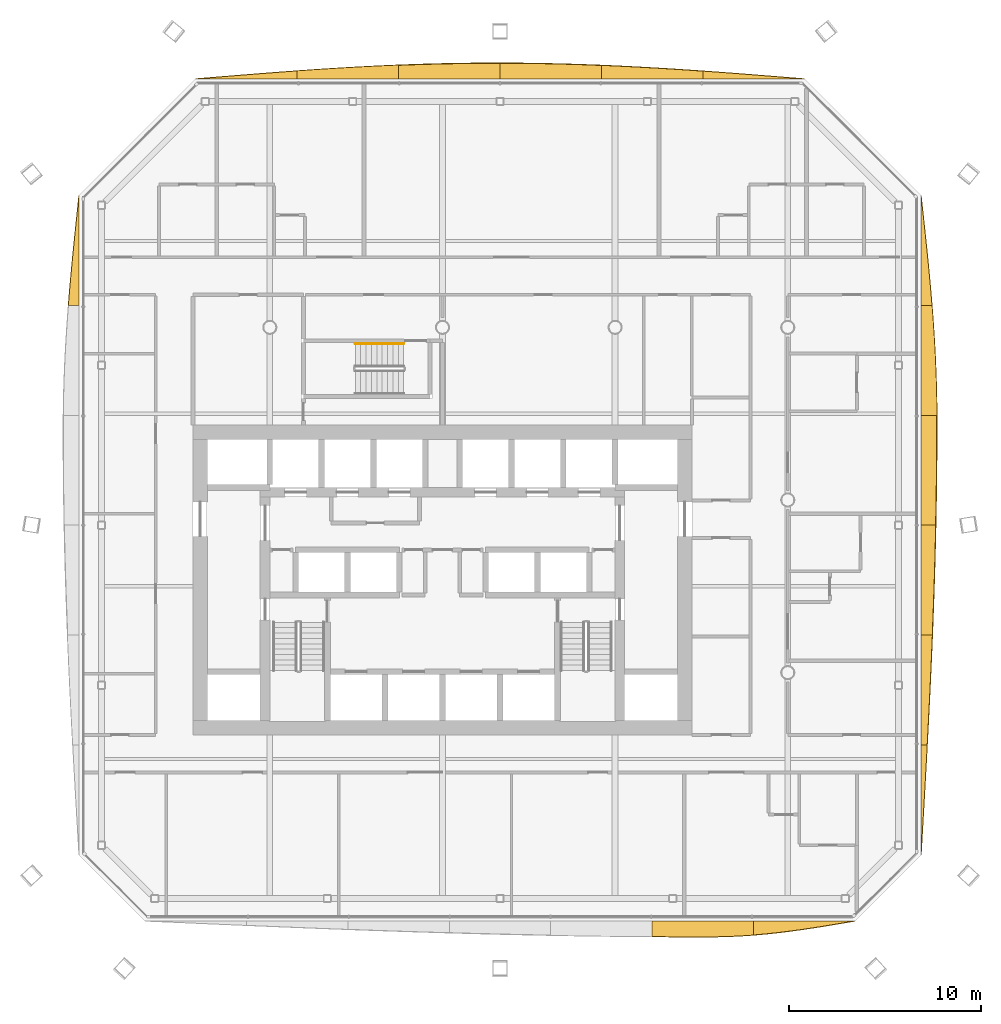
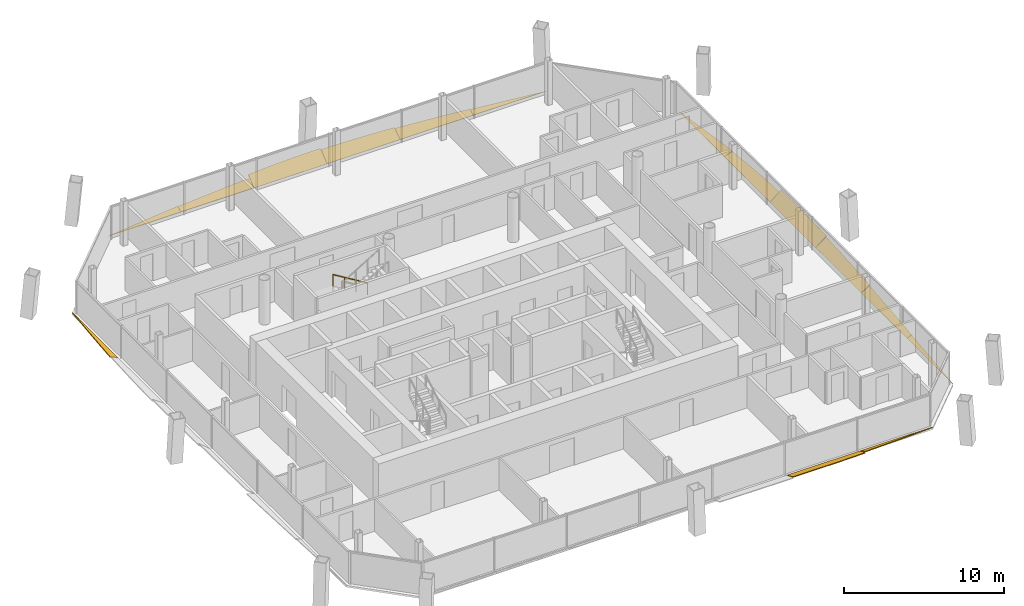
# One storey, part 17 of 17: 15 shading devices, 1 railing.
"""IFC4 building model written with IfcOpenShell, lengths in metres."""

import ifcopenshell
import ifcopenshell.guid

model = None  # the IFC model being written
_history = None  # IfcOwnerHistory: only IFC2X3 demands one
_inside = {}  # id of a spatial element -> (the spatial element, [elements in it])
_under = {}  # id of a project, library or spatial element -> (it, [spatial elements below it])
_declared = {}  # id of a project -> (the project, [libraries it declares])
_typed = {}  # id of a type object -> (the type object, [elements of that type])
_made_of = {}  # id of a material, layer set ... -> (it, [elements and type objects made of it])


def new_model(schema):
    """Start an empty IFC model of exactly this schema.

    Asked for "IFC4X3", IfcOpenShell would pick the latest addendum, in which some entities
    have other attributes; the version numbers below select the first issue.
    IFC2X3 requires an IfcOwnerHistory on every rooted entity: one is made here for all.
    """
    global model, _history
    if schema == "IFC4X3":
        model = ifcopenshell.file(schema_version=(4, 3, 0, 0))
    else:
        model = ifcopenshell.file(schema=schema)
    _inside.clear()
    _under.clear()
    _declared.clear()
    _typed.clear()
    _made_of.clear()
    _history = None
    if model.schema == "IFC2X3":
        org = make("IfcOrganization", Name="unknown")
        user = make(
            "IfcPersonAndOrganization",
            ThePerson=make("IfcPerson", FamilyName="unknown"),
            TheOrganization=org,
        )
        app = make(
            "IfcApplication",
            ApplicationDeveloper=org,
            Version="unknown",
            ApplicationFullName="unknown",
            ApplicationIdentifier="unknown",
        )
        _history = make(
            "IfcOwnerHistory",
            OwningUser=user,
            OwningApplication=app,
            ChangeAction="ADDED",
            CreationDate=0,
        )
    return model


def make(cls, **values):
    """One entity of the class cls with the attributes given. An attribute that is None is left unset."""
    return model.create_entity(
        cls, **{name: value for name, value in values.items() if value is not None}
    )


def rooted(cls, **values):
    """An entity with a GlobalId (a new one), such as an element, a storey or a relation."""
    return make(cls, GlobalId=ifcopenshell.guid.new(), OwnerHistory=_history, **values)


def si_unit(unit_type, name, prefix=None):
    """IfcSIUnit, for example si_unit("LENGTHUNIT", "METRE", prefix="MILLI")."""
    return make("IfcSIUnit", UnitType=unit_type, Prefix=prefix, Name=name)


def assignment(units):
    """IfcUnitAssignment: the units of a project."""
    return None if units is None else make("IfcUnitAssignment", Units=units)


def point(xyz):
    """IfcCartesianPoint."""
    return None if xyz is None else make("IfcCartesianPoint", Coordinates=xyz)


def direction(xyz):
    """IfcDirection."""
    return None if xyz is None else make("IfcDirection", DirectionRatios=xyz)


def frame(location, z_axis=None, x_axis=None):
    """IfcAxis2Placement3D, a coordinate frame: its origin and axes. An axis left out is left unset."""
    return make(
        "IfcAxis2Placement3D",
        Location=point(location),
        Axis=direction(z_axis),
        RefDirection=direction(x_axis),
    )


def frame_2d(location, x_axis=None):
    """IfcAxis2Placement2D, a coordinate frame in the plane: its origin and x axis."""
    return make(
        "IfcAxis2Placement2D", Location=point(location), RefDirection=direction(x_axis)
    )


def origin():
    """The frame at (0, 0, 0) with its axes left unset."""
    return frame((0.0, 0.0, 0.0))


def origin_2d():
    """The frame at (0, 0) in the plane with its x axis left unset."""
    return frame_2d((0.0, 0.0))


def place(relative_to, where):
    """IfcLocalPlacement: puts the frame where relative to a parent placement (None: the world)."""
    return make(
        "IfcLocalPlacement", PlacementRelTo=relative_to, RelativePlacement=where
    )


def context(
    kind, dimensions, precision=None, world=None, true_north=None, identifier=None
):
    """IfcGeometricRepresentationContext, for example the 3D "Model" context."""
    return make(
        "IfcGeometricRepresentationContext",
        ContextIdentifier=identifier,
        ContextType=kind,
        CoordinateSpaceDimension=dimensions,
        Precision=precision,
        WorldCoordinateSystem=world,
        TrueNorth=true_north,
    )


def subcontext(parent, identifier, kind, view, scale=None):
    """IfcGeometricRepresentationSubContext, for example "Body" below "Model"."""
    return make(
        "IfcGeometricRepresentationSubContext",
        ContextIdentifier=identifier,
        ContextType=kind,
        ParentContext=parent,
        TargetScale=scale,
        TargetView=view,
    )


def project(units=None, contexts=None):
    """IfcProject with its units and contexts."""
    return rooted(
        "IfcProject",
        Name="project",
        RepresentationContexts=contexts,
        UnitsInContext=assignment(units),
    )


def spatial(cls, under=None, at=None, **own):
    """A site, building, storey or space (cls), placed at a placement, below another one or the project."""
    s = rooted(cls, ObjectPlacement=at, **own)
    if under is not None:
        _under.setdefault(under.id(), (under, []))[1].append(s)
    return s


def polyline(points):
    """IfcPolyline through the points."""
    return make("IfcPolyline", Points=[point(p) for p in points])


def profile(cls, at=None, kind="AREA", **sizes):
    """A parametric profile (cls). Its sizes go by their IFC names, for example OverallWidth=200.0."""
    return make(cls, ProfileType=kind, Position=at, **sizes)


def circle(**sizes):
    """IfcCircleProfileDef."""
    return profile("IfcCircleProfileDef", **sizes)


def outline(outer, holes=None, kind="AREA"):
    """IfcArbitraryClosedProfileDef: a profile drawn as a closed curve; with holes, ...WithVoids."""
    if holes is None:
        return make("IfcArbitraryClosedProfileDef", ProfileType=kind, OuterCurve=outer)
    return make(
        "IfcArbitraryProfileDefWithVoids",
        ProfileType=kind,
        OuterCurve=outer,
        InnerCurves=holes,
    )


def extrude(swept, where, along, depth):
    """IfcExtrudedAreaSolid: the profile swept, set in the frame where, extruded along a direction by depth."""
    return make(
        "IfcExtrudedAreaSolid",
        SweptArea=swept,
        Position=where,
        ExtrudedDirection=direction(along),
        Depth=depth,
    )


def shape(context_of_items, identifier, shape_type, items):
    """IfcShapeRepresentation: the items that make up one representation, for example the "Body"."""
    return make(
        "IfcShapeRepresentation",
        ContextOfItems=context_of_items,
        RepresentationIdentifier=identifier,
        RepresentationType=shape_type,
        Items=items,
    )


def material(Name=None, Category=None):
    """IfcMaterial."""
    return make("IfcMaterial", Name=Name, Category=Category)


def layer(
    of_material, thickness, ventilated=None, Name=None, Category=None, Priority=None
):
    """IfcMaterialLayer: one layer of a wall or slab, of a material (None: an air gap)."""
    return make(
        "IfcMaterialLayer",
        Material=of_material,
        LayerThickness=thickness,
        IsVentilated=ventilated,
        Name=Name,
        Category=Category,
        Priority=Priority,
    )


def layer_set(layers, Name=None):
    """IfcMaterialLayerSet."""
    return make("IfcMaterialLayerSet", MaterialLayers=layers, LayerSetName=Name)


def made_of(thing, what):
    """Note that an element or type object is made of a material, layer set ...; save() writes the relation."""
    if what is not None:
        _made_of.setdefault(what.id(), (what, []))[1].append(thing)
    return thing


def type_object(cls, material=None, **own):
    """A type object (cls), such as IfcWallType, which elements share."""
    return made_of(rooted(cls, **own), material)


def element(
    cls,
    number,
    at=None,
    inside=None,
    cuts=None,
    type_object=None,
    material=None,
    context=None,
    identifier="Body",
    shape_type=None,
    held_by="IfcProductDefinitionShape",
    body=None,
    shapes=None,
    **own,
):
    """One element of the class cls, such as IfcWall. Its Tag is "e" and its number.

    at: its placement. inside: the storey or other place that contains it. cuts: it is an
    opening in that element (IfcRelVoidsElement). A single representation is given by context,
    identifier, shape_type and body (its items); several are given by shapes. held_by: the class
    of the entity that holds the representations. save() writes the other relations.
    """
    e = rooted(cls, Tag="e%d" % number, ObjectPlacement=at, **own)
    if body is not None:
        shapes = [shape(context, identifier, shape_type, body)]
    if shapes is not None:
        e.Representation = make(held_by, Representations=shapes)
    if inside is not None:
        _inside.setdefault(inside.id(), (inside, []))[1].append(e)
    if cuts is not None:
        rooted(
            "IfcRelVoidsElement", RelatingBuildingElement=cuts, RelatedOpeningElement=e
        )
    if type_object is not None:
        _typed.setdefault(type_object.id(), (type_object, []))[1].append(e)
    return made_of(e, material)


def aggregate(whole, parts):
    """IfcRelAggregates: a whole, such as a stair, and the parts it consists of."""
    return rooted("IfcRelAggregates", RelatingObject=whole, RelatedObjects=parts)


def save(model, path):
    """Write the relations noted so far, then the file.

    IfcRelAggregates (storeys below a building ...), IfcRelContainedInSpatialStructure (elements
    in a storey), IfcRelDefinesByType, IfcRelAssociatesMaterial and IfcRelDeclares: one each for
    every whole, place, type object, material and project.
    """
    for whole, parts in _under.values():
        aggregate(whole, parts)
    for where, things in _inside.values():
        rooted(
            "IfcRelContainedInSpatialStructure",
            RelatedElements=things,
            RelatingStructure=where,
        )
    for kind, things in _typed.values():
        rooted("IfcRelDefinesByType", RelatedObjects=things, RelatingType=kind)
    for what, things in _made_of.values():
        rooted("IfcRelAssociatesMaterial", RelatedObjects=things, RelatingMaterial=what)
    for by, libraries in _declared.values():
        rooted("IfcRelDeclares", RelatingContext=by, RelatedDefinitions=libraries)
    model.write(path)


model = new_model("IFC4")

# Units and contexts
model_context = context("Model", 3, precision=1e-05, world=origin(), true_north=direction((0.0, 1.0)))
body_context = subcontext(model_context, "Body", "Model", "MODEL_VIEW")
ifc_project = project(units=[si_unit("LENGTHUNIT", "METRE"), si_unit("AREAUNIT", "SQUARE_METRE"), si_unit("VOLUMEUNIT", "CUBIC_METRE"), si_unit("PLANEANGLEUNIT", "RADIAN"), si_unit("MASSUNIT", "GRAM", prefix="KILO")], contexts=[model_context])

# Site, building, storey
site_placement = place(None, origin())
site = spatial("IfcSite", under=ifc_project, at=site_placement, CompositionType="ELEMENT")
building_placement = place(site_placement, origin())
building = spatial("IfcBuilding", under=site, at=building_placement, Name="Tskaro Facet Tower", CompositionType="ELEMENT")
storey_placement = place(building_placement, frame((0.0, 0.0, 158.89990234375)))
storey = spatial("IfcBuildingStorey", under=building, at=storey_placement, Name="L39", CompositionType="ELEMENT", Elevation=158.89990234375)

# Shading devices
ifc_material_1 = material(Name="Bronze anodised aluminium 6063-T6", Category="aluminium")
ifc_layer = layer(ifc_material_1, 0.06005859375, Name="Bronze anodised aluminium 6063-T6")
ifc_layer_set = layer_set([ifc_layer], Name="Bronze anodised aluminium 6063-T6")
shading_device_type = type_object("IfcShadingDeviceType", Name="Bronze sun blade (FN1)", PredefinedType="USERDEFINED", material=ifc_layer_set)
shading_device_1_placement = place(storey_placement, frame((10.9267578125, -21.94873046875, 0.054443359375), z_axis=(-1.0889002e-05, 0.422709303953, 0.906265327723), x_axis=(0.999999999941, 4.602882e-06, 9.868325e-06)))
element("IfcShadingDevice", 1, at=shading_device_1_placement, inside=storey, type_object=shading_device_type, Name="Fin blade south 6", ObjectType="FIN", PredefinedType="USERDEFINED", context=body_context, shape_type="SweptSolid", body=[
    extrude(outline(polyline([(0.0, 0.0), (5.284667968436698, 0.0), (5.284667968862025, -0.8079248130536909), (4.624023436953606, -0.8577324511837741), (3.9636230469214655, -0.8916995606160449), (3.3029785160683645, -0.908955971772553), (2.9489746093626326, -0.9113600794790724), (2.642333984380812, -0.9113600794790724), (1.981933593471448, -0.9102686537175824), (1.3212890627373335, -0.9078645460110629), (0.660644530555953, -0.9045902687265928), (-8.251925767878968e-10, -0.9000033094970932), (0.0, 0.0)])), origin(), (0.0, 0.0, -1.0), 0.06005859375),
])
shading_device_2_placement = place(storey_placement, frame((16.21142578125, -21.944091796875, 0.052001953125), z_axis=(-4.961785e-06, 0.500145444865, 0.865941414852), x_axis=(0.999999999988, 2.481614e-06, 4.296615e-06)))
element("IfcShadingDevice", 2, at=shading_device_2_placement, inside=storey, type_object=shading_device_type, Name="Fin blade south 7", ObjectType="FIN", PredefinedType="USERDEFINED", context=body_context, shape_type="SweptSolid", body=[
    extrude(outline(polyline([(0.0, 0.0), (5.284667968684948, 0.0), (4.62402343733129, -0.12939591120920257), (3.9633789066286207, -0.2566121073064942), (3.3029785153118554, -0.37889114423722065), (2.6423339838309676, -0.49417541271097276), (1.9816894534619445, -0.6002851976158396), (1.321044921989208, -0.6955529124531226), (0.6606445312946072, -0.7775874306326725), (-1.5221949432695957e-10, -0.8455103060767721), (0.0, 0.0)])), origin(), (0.0, 0.0, -1.0), 0.06005859375),
])
shading_device_3_placement = place(storey_placement, frame((24.94873046875, -18.49609375, 0.054443359375), z_axis=(-0.422955346667, 1.2536266e-05, 0.906150525337), x_axis=(5.302281e-06, 0.999999999921, -1.1359744e-05)))
element("IfcShadingDevice", 3, at=shading_device_3_placement, inside=storey, type_object=shading_device_type, Name="Fin blade east 1", ObjectType="FIN", PredefinedType="USERDEFINED", context=body_context, shape_type="SweptSolid", body=[
    extrude(outline(polyline([(0.0, 0.0), (5.726806640174994, 0.0), (5.726806641071917, -0.35399253367033956), (5.010986327847706, -0.31172169070202527), (4.295166016286738, -0.26858064210147814), (3.579345702136767, -0.22499713718969663), (2.863525389650039, -0.1805434266456823), (2.1477050786421836, -0.1357652273633602), (1.4318847663398264, -0.09076579992542086), (0.7160644514484652, -0.045323916176247106), (0.0, 0.0)])), origin(), (0.0, 0.0, -1.0), 0.06005859375),
])
shading_device_4_placement = place(storey_placement, frame((24.944091796875, -12.769287109375, 0.052001953125), z_axis=(-0.500117552212, 1.0402716e-05, 0.865957524282), x_axis=(5.202581e-06, 0.999999999946, -9.00831e-06)))
element("IfcShadingDevice", 4, at=shading_device_4_placement, inside=storey, type_object=shading_device_type, Name="Fin blade east 2", ObjectType="FIN", PredefinedType="USERDEFINED", context=body_context, shape_type="SweptSolid", body=[
    extrude(outline(polyline([(0.0, 0.0), (5.72705078094012, -4.851000702317231e-21), (5.727050781728076, -0.6830760588457452), (5.010986328902913, -0.648947863264551), (4.2951660156796505, -0.6131848781807464), (3.5793457027034656, -0.5759985190055446), (2.8635253899743573, -0.5373887857389453), (2.147705078762487, -0.4975670937921619), (1.4318847643282373, -0.4562327113545453), (0.7160644526813875, -0.41389778564795765), (-2.7250574628274195e-10, -0.370473000272963), (0.0, 0.0)])), origin(), (0.0, 0.0, -1.0), 0.06005859375),
])
shading_device_5_placement = place(storey_placement, frame((24.939697265625, -7.042236328125, 0.04931640625), z_axis=(-0.573594994616, -1.5133128e-05, 0.819139049199), x_axis=(-8.680287e-06, 0.999999999885, 1.2396136e-05)))
element("IfcShadingDevice", 5, at=shading_device_5_placement, inside=storey, type_object=shading_device_type, Name="Fin blade east 3", ObjectType="FIN", PredefinedType="USERDEFINED", context=body_context, shape_type="SweptSolid", body=[
    extrude(outline(polyline([(0.0, 0.0), (5.726806639969248, -4.8507939071640925e-21), (5.7268066406952745, -0.9388766024266952), (5.010986328930719, -0.9192358438796557), (4.294921876243662, -0.8974950002939301), (3.579101560857649, -0.8735140338290202), (2.8632812472933185, -0.8472329972059682), (2.1474609364578607, -0.8189919133847291), (1.431640625324875, -0.7886507445248041), (0.7158203138943608, -0.7562094906261931), (-2.072102539877803e-09, -0.7220681219278088), (0.0, 0.0)])), origin(), (0.0, 0.0, -1.0), 0.06005859375),
])
shading_device_6_placement = place(storey_placement, frame((24.935546875, -1.3154296875, 0.046142578125), z_axis=(-0.642779971201, -1.4417616e-05, 0.766050852369), x_axis=(-9.267355e-06, 0.999999999896, 1.1044627e-05)))
element("IfcShadingDevice", 6, at=shading_device_6_placement, inside=storey, type_object=shading_device_type, Name="Fin blade east 4", ObjectType="FIN", PredefinedType="USERDEFINED", context=body_context, shape_type="SweptSolid", body=[
    extrude(outline(polyline([(0.0, 0.0), (5.726806640029792, 0.0), (5.726806642024514, -1.0770043527682436), (5.360351562976777, -1.078223235415606), (5.010986328204183, -1.0778792825777848), (4.2951660150037885, -1.075284588579137), (3.5791015626661644, -1.0699081764479423), (2.8632812501787215, -1.0619370703181), (2.1474609369164868, -1.0513712701896094), (1.431640625141997, -1.0380237519285727), (0.7158203103301767, -1.0222685638027864), (-2.974565029502762e-10, -1.0038885862483764), (0.0, 0.0)])), origin(), (0.0, 0.0, -1.0), 0.06005859375),
])
shading_device_7_placement = place(storey_placement, frame((24.953369140625, 4.411376953125, 0.056396484375), z_axis=(-0.342082440712, -1.6739188e-05, 0.939669943904), x_axis=(-5.726182e-06, 0.99999999986, 1.5729312e-05)))
element("IfcShadingDevice", 7, at=shading_device_7_placement, inside=storey, type_object=shading_device_type, Name="Fin blade east 5", ObjectType="FIN", PredefinedType="USERDEFINED", context=body_context, shape_type="SweptSolid", body=[
    extrude(outline(polyline([(0.0, 0.0), (5.726806639822673, -4.8507939071640925e-21), (5.726806641044746, -0.6064354794982565), (5.010986329343713, -0.6641296702398193), (4.295166015235059, -0.7157957480224816), (3.579345701514771, -0.7609748896313822), (2.8632812489558783, -0.7994376834590907), (2.147460937764136, -0.8306417900698574), (1.4316406248724065, -0.8542742816353629), (0.7158203116786845, -0.8701057465481767), (-1.817029932223678e-09, -0.8781361848082989), (0.0, 0.0)])), origin(), (0.0, 0.0, -1.0), 0.06005859375),
])
shading_device_8_placement = place(storey_placement, frame((24.94873046875, 10.13818359375, 0.054443359375), z_axis=(-0.422847504323, -2.363081e-05, 0.906200853856), x_axis=(-9.992229e-06, 0.999999999721, 2.141426e-05)))
element("IfcShadingDevice", 8, at=shading_device_8_placement, inside=storey, type_object=shading_device_type, Name="Fin blade east 6", ObjectType="FIN", PredefinedType="USERDEFINED", context=body_context, shape_type="SweptSolid", body=[
    extrude(outline(polyline([(0.0, 0.0), (5.726806639026032, 9.701587814328185e-21), (5.010986327857124, -0.08650332027225668), (4.295166016339142, -0.172460925404704), (3.5793457009853586, -0.25645691042081153), (2.8632812488384434, -0.3383732691316956), (2.1474609380106053, -0.4173398117006351), (1.4316406247392586, -0.4924863482909091), (0.7158203111148382, -0.5630459233198104), (-3.211728160551292e-09, -0.6284728216475297), (0.0, 0.0)])), origin(), (0.0, 0.0, -1.0), 0.06005859375),
])
shading_device_9_placement = place(storey_placement, frame((18.864990234375, 21.94873046875, 0.054443359375), z_axis=(6.823016e-06, -0.42292172213, 0.906166219247), x_axis=(-0.999999999977, -2.885602e-06, 6.182787e-06)))
element("IfcShadingDevice", 9, at=shading_device_9_placement, inside=storey, type_object=shading_device_type, Name="Fin blade north 1", ObjectType="FIN", PredefinedType="USERDEFINED", context=body_context, shape_type="SweptSolid", body=[
    extrude(outline(polyline([(0.0, 0.0), (5.288330078001905, 0.0), (5.2883300782813825, -0.45076121821933707), (4.627197264402128, -0.3986674787092226), (3.966308593060378, -0.3448186105420877), (3.3051757815971574, -0.28965707769218446), (2.644042969127992, -0.23307962778594363), (1.9831542963783595, -0.1756319771711864), (1.3220214851172105, -0.11752063059505122), (0.6611328128711024, -0.05876031529752561), (0.0, 0.0)])), origin(), (0.0, 0.0, -1.0), 0.06005859375),
])
shading_device_10_placement = place(storey_placement, frame((13.57666015625, 21.944091796875, 0.052001953125), z_axis=(4.035583e-06, -0.500094385732, 0.865970903289), x_axis=(-0.999999999992, -2.018172e-06, 3.494697e-06)))
element("IfcShadingDevice", 10, at=shading_device_10_placement, inside=storey, type_object=shading_device_type, Name="Fin blade north 2", ObjectType="FIN", PredefinedType="USERDEFINED", context=body_context, shape_type="SweptSolid", body=[
    extrude(outline(polyline([(0.0, 0.0), (5.288330078081938, 0.0), (5.288330078137652, -0.8201337709288613), (4.6271972657663065, -0.7868840187757903), (3.9663085934674727, -0.7504540076782837), (3.3051757813370686, -0.7107544123146714), (2.644042969014657, -0.6682080700400789), (1.9831542971252378, -0.6228149808545056), (1.3220214839260949, -0.5747865634355143), (0.6611328123736205, -0.5243670044948902), (-1.2809700377741692e-10, -0.47164562935430304), (0.0, 0.0)])), origin(), (0.0, 0.0, -1.0), 0.06005859375),
])
shading_device_11_placement = place(storey_placement, frame((8.288330078125, 21.939697265625, 0.04931640625), z_axis=(6.46617e-07, -0.573624701054, 0.81911824686), x_axis=(-1.0, -3.70916e-07, 5.29656e-07)))
element("IfcShadingDevice", 11, at=shading_device_11_placement, inside=storey, type_object=shading_device_type, Name="Fin blade north 3", ObjectType="FIN", PredefinedType="USERDEFINED", context=body_context, shape_type="SweptSolid", body=[
    extrude(outline(polyline([(0.0, 0.0), (5.288330078123894, 0.0), (5.28833007811107, -1.008299303205038), (4.627197265663391, -1.0047791819719412), (3.9663085937248286, -0.9972588692789485), (3.3051757812652496, -0.985678430178353), (2.644042968651032, -0.9697577744840935), (1.9831542968951086, -0.9499170374752619), (1.3220214843983022, -0.9260761090065346), (0.6611328125399233, -0.898375034170942), (-2.058353161737938e-11, -0.8670137930092219), (0.0, 0.0)])), origin(), (0.0, 0.0, -1.0), 0.06005859375),
])
shading_device_12_placement = place(storey_placement, frame((3.0, 21.935546875, 0.046142578125), z_axis=(9.850242e-06, -0.64280937132, 0.76602618235), x_axis=(-0.999999999951, -6.331828e-06, 7.545543e-06)))
element("IfcShadingDevice", 12, at=shading_device_12_placement, inside=storey, type_object=shading_device_type, Name="Fin blade north 4", ObjectType="FIN", PredefinedType="USERDEFINED", context=body_context, shape_type="SweptSolid", body=[
    extrude(outline(polyline([(0.0, 0.0), (5.2883300778684434, 0.0), (5.288330077268129, -0.9404636884011), (4.627197265846101, -0.9733799755332926), (3.966308593039109, -1.001981796643207), (3.3051757809852096, -1.0262390695015864), (2.6442871087958864, -1.0456509042341415), (1.9831542958137987, -1.0609052088260957), (1.3220214854593297, -1.0712839930629687), (0.6611328134235809, -1.0770043572849515), (0.1904296877895118, -1.078223237373722), (-1.543423454510655e-09, -1.0780663014920444), (0.0, 0.0)])), origin(), (0.0, 0.0, -1.0), 0.06005859375),
])
shading_device_13_placement = place(storey_placement, frame((-2.288330078125, 21.953369140625, 0.056396484375), z_axis=(-7.878962e-06, -0.342071007337, 0.939674106208), x_axis=(-0.999999999969, 2.695165e-06, -7.403657e-06)))
element("IfcShadingDevice", 13, at=shading_device_13_placement, inside=storey, type_object=shading_device_type, Name="Fin blade north 5", ObjectType="FIN", PredefinedType="USERDEFINED", context=body_context, shape_type="SweptSolid", body=[
    extrude(outline(polyline([(0.0, 0.0), (5.288330077960855, 2.2396949060638916e-21), (5.2883300777041065, -0.4445538655637121), (4.627197264866664, -0.4936752780602372), (3.96630859347082, -0.5409402619030266), (3.3051757821001253, -0.585577065791773), (2.6442871101970318, -0.6276692031560047), (1.983154295853555, -0.6669872613721288), (1.3220214839677538, -0.7035936262046817), (0.6611328131906231, -0.7368000597828844), (-6.848898010390353e-10, -0.7670030015893864), (0.0, 0.0)])), origin(), (0.0, 0.0, -1.0), 0.06005859375),
])
shading_device_14_placement = place(storey_placement, frame((-7.57666015625, 21.94873046875, 0.054443359375), z_axis=(4.516742e-06, -0.422927964681, 0.906163305741), x_axis=(-0.99999999999, -1.910257e-06, 4.092906e-06)))
element("IfcShadingDevice", 14, at=shading_device_14_placement, inside=storey, type_object=shading_device_type, Name="Fin blade north 6", ObjectType="FIN", PredefinedType="USERDEFINED", context=body_context, shape_type="SweptSolid", body=[
    extrude(outline(polyline([(0.0, 0.0), (5.2883300780710565, 0.0), (4.62719726603133, -0.06039746503415037), (3.9663085940837286, -0.12047044489485476), (3.305175781444627, -0.1799977083062953), (2.6442871088311475, -0.2386547700950261), (1.9831542964589104, -0.2963236528828574), (1.3220214844200406, -0.35267987149634317), (0.6611328123402904, -0.40762017203785544), (-9.75925358503612e-11, -0.46070209195575834), (0.0, 0.0)])), origin(), (0.0, 0.0, -1.0), 0.06005859375),
])
shading_device_15_placement = place(storey_placement, frame((-18.94873046875, 15.864990234375, 0.054443359375), z_axis=(0.422830654096, -7.495699e-06, 0.906208716522), x_axis=(-3.169411e-06, -0.999999999972, -6.792667e-06)))
element("IfcShadingDevice", 15, at=shading_device_15_placement, inside=storey, type_object=shading_device_type, Name="Fin blade west 1", ObjectType="FIN", PredefinedType="USERDEFINED", context=body_context, shape_type="SweptSolid", body=[
    extrude(outline(polyline([(0.0, 0.0), (5.726806640464118, 0.0), (5.726806640739633, -0.6115408811677524), (5.010986328289057, -0.5468809384842839), (4.295166015951117, -0.47763403451805875), (3.5793457036150076, -0.4043458841341169), (2.863525391169929, -0.32756220219749793), (2.1474609369955013, -0.24815317607584325), (1.4316406238892747, -0.16656129049402943), (0.7158203118892362, -0.0835535026795346), (0.0, 0.0)])), origin(), (0.0, 0.0, -1.0), 0.06005859375),
])

# Railing
ifc_material_2 = material(Name="Stainless steel", Category="steel")
railing_type = type_object("IfcRailingType", Name="RL-HANDRAIL-900", PredefinedType="HANDRAIL", material=ifc_material_2)
railing_placement = place(storey_placement, frame((-2.02490234375, 8.14990234375, 0.170166015625)))
element("IfcRailing", 16, at=railing_placement, inside=storey, type_object=railing_type, Name="L39 ST-3 stair handrail 1", PredefinedType="HANDRAIL", context=body_context, shape_type="SweptSolid", body=[
    extrude(circle(Radius=0.02392578125, at=origin_2d()), frame((0.0, 0.0, 0.8759765625), z_axis=(-0.85478489116, 0.0, 0.518982456201), x_axis=(0.0, -1.0, 0.0)), (0.0, 0.0, 1.0), 2.9482421875),
    extrude(circle(Radius=0.02099609375, at=origin_2d()), origin(), (0.0, 0.0, 1.0), 0.851806640625),
    extrude(circle(Radius=0.02099609375, at=origin_2d()), frame((-0.840087890625, 0.0, 0.510009765625)), (0.0, 0.0, 1.0), 0.851806640625),
    extrude(circle(Radius=0.02099609375, at=origin_2d()), frame((-1.679931640625, 0.0, 1.02001953125)), (0.0, 0.0, 1.0), 0.851806640625),
    extrude(circle(Radius=0.02099609375, at=origin_2d()), frame((-2.52001953125, 0.0, 1.530029296875)), (0.0, 0.0, 1.0), 0.851806640625),
])

save(model, "model.ifc")
